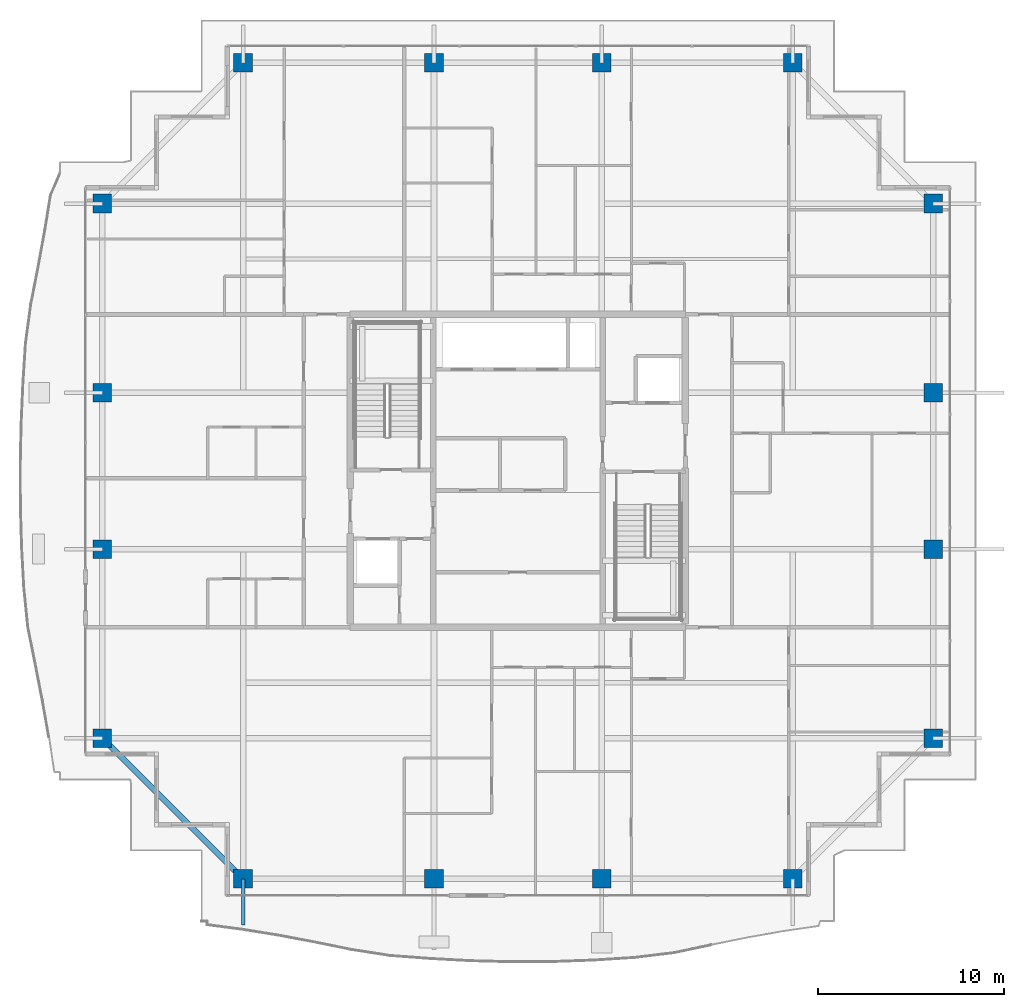
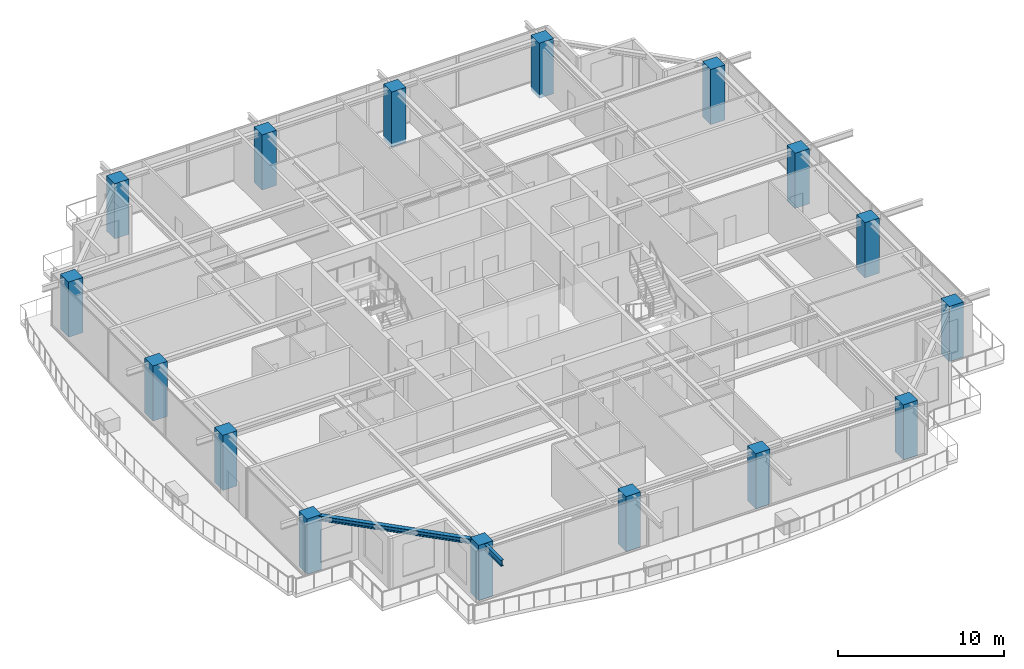
# One storey, part 1 of 37: 16 columns, 2 beams.
"""IFC4 building model written with IfcOpenShell, lengths in metres."""

from ifc_helpers import new_model, si_unit, direction, frame, origin, origin_2d, place, context, subcontext, project, spatial, rectangle, i_section, extrude, source, transform, mapped, material, material_profile, profile_set, type_object, element, save


model = new_model("IFC4")

# Units and contexts
model_context = context("Model", 3, precision=1e-05, world=origin(), true_north=direction((0.0, 1.0)))
body_context = subcontext(model_context, "Body", "Model", "MODEL_VIEW")
ifc_project = project(units=[si_unit("LENGTHUNIT", "METRE"), si_unit("AREAUNIT", "SQUARE_METRE"), si_unit("VOLUMEUNIT", "CUBIC_METRE"), si_unit("PLANEANGLEUNIT", "RADIAN"), si_unit("MASSUNIT", "GRAM", prefix="KILO")], contexts=[model_context])

# Site, building, storey
site_placement = place(None, origin())
site = spatial("IfcSite", under=ifc_project, at=site_placement, CompositionType="ELEMENT")
building_placement = place(site_placement, origin())
building = spatial("IfcBuilding", under=site, at=building_placement, Name="Serunith Strait Residences", CompositionType="ELEMENT")
storey_placement = place(building_placement, frame((0.0, 0.0, 305.60009765625)))
storey = spatial("IfcBuildingStorey", under=building, at=storey_placement, Name="L76", CompositionType="ELEMENT", Elevation=305.60009765625)

# Columns
ifc_material_1 = material(Name="Concrete C70/85", Category="concrete")
ifc_material_profile_1 = material_profile(ifc_material_1, rectangle(XDim=1.0, YDim=1.0, at=origin_2d()), Name="RC 1000x1000")
ifc_profile_set_1 = profile_set([ifc_material_profile_1], Name="Concrete C70/85")
column_type = type_object("IfcColumnType", Name="COL-RC-1000", PredefinedType="COLUMN", material=ifc_profile_set_1)
shared_shape_1 = source(origin(), body_context, "Body", "SweptSolid", [
    extrude(rectangle(XDim=1.0, YDim=1.0, at=origin_2d()), origin(), (0.0, 0.0, 1.0), 4.0498046875),
])
for number, where, z_axis, x_axis, name in (
    (1, (17.64990234375, 3.300048828125, -0.260009765625), (0.0, 0.0, 1.0), (1.0, 0.0, 0.0), "L76 Tower Mega-Column TC-S1"),
    (2, (27.89990234375, 3.300048828125, -0.260009765625), (0.0, 0.0, 1.0), (1.0, 0.0, 0.0), "L76 Tower Mega-Column TC-S2"),
    (3, (36.89990234375, 3.300048828125, -0.260009765625), (0.0, 0.0, 1.0), (1.0, 0.0, 0.0), "L76 Tower Mega-Column TC-S3"),
    (4, (47.14990234375, 3.300048828125, -0.260009765625), (0.0, 0.0, 1.0), (1.0, 0.0, 0.0), "L76 Tower Mega-Column TC-S4"),
    (5, (17.64990234375, 47.10009765625, -0.260009765625), (0.0, 0.0, 1.0), (1.0, 0.0, 0.0), "L76 Tower Mega-Column TC-N1"),
    (6, (27.89990234375, 47.10009765625, -0.260009765625), (0.0, 0.0, 1.0), (1.0, 0.0, 0.0), "L76 Tower Mega-Column TC-N2"),
    (7, (36.89990234375, 47.10009765625, -0.260009765625), (0.0, 0.0, 1.0), (1.0, 0.0, 0.0), "L76 Tower Mega-Column TC-N3"),
    (8, (47.14990234375, 47.10009765625, -0.260009765625), (0.0, 0.0, 1.0), (1.0, 0.0, 0.0), "L76 Tower Mega-Column TC-N4"),
    (9, (54.699951171875, 10.85009765625, -0.260009765625), (0.0, 0.0, 1.0), (1.0, 0.0, 0.0), "L76 Tower Mega-Column TC-E1"),
    (10, (54.699951171875, 21.0, -0.260009765625), (0.0, 0.0, 1.0), (1.0, 0.0, 0.0), "L76 Tower Mega-Column TC-E2"),
    (11, (54.699951171875, 29.39990234375, -0.260009765625), (0.0, 0.0, 1.0), (1.0, 0.0, 0.0), "L76 Tower Mega-Column TC-E3"),
    (12, (54.699951171875, 39.550048828125, -0.260009765625), (0.0, 0.0, 1.0), (1.0, 0.0, 0.0), "L76 Tower Mega-Column TC-E4"),
    (13, (10.10009765625, 10.85009765625, -0.260009765625), (0.0, 0.0, 1.0), (1.0, 0.0, 0.0), "L76 Tower Mega-Column TC-W1"),
    (14, (10.10009765625, 21.0, -0.260009765625), (0.0, 0.0, 1.0), (1.0, 0.0, 0.0), "L76 Tower Mega-Column TC-W2"),
    (15, (10.10009765625, 29.39990234375, -0.260009765625), (0.0, 0.0, 1.0), (1.0, 0.0, 0.0), "L76 Tower Mega-Column TC-W3"),
    (16, (10.10009765625, 39.550048828125, -0.260009765625), (0.0, 0.0, 1.0), (1.0, 0.0, 0.0), "L76 Tower Mega-Column TC-W4"),
):
    element("IfcColumn", number, at=place(storey_placement, frame(where, z_axis=z_axis, x_axis=x_axis)), inside=storey, type_object=column_type, Name=name, PredefinedType="COLUMN", context=body_context, shape_type="MappedRepresentation", body=[
        mapped(shared_shape_1, transform((0.0, 0.0, 0.0), scale=1.0)),
    ])

# Beams
ifc_material_2 = material(Name="Steel S355J2", Category="steel")
ifc_material_profile_2 = material_profile(ifc_material_2, i_section(OverallWidth=0.300048828125, OverallDepth=0.360107421875, WebThickness=0.012451171875, FlangeThickness=0.0224609375, FilletRadius=0.027099609375, at=origin_2d()), Name="HEB 360")
ifc_profile_set_2 = profile_set([ifc_material_profile_2], Name="Steel S355J2")
beam_type_1 = type_object("IfcBeamType", Name="BM-HEB360", PredefinedType="BEAM", material=ifc_profile_set_2)
shared_shape_2 = source(origin(), body_context, "Body", "SweptSolid", [
    extrude(i_section(OverallWidth=0.300048828125, OverallDepth=0.360107421875, WebThickness=0.012451171875, FlangeThickness=0.0224609375, FilletRadius=0.027099609375, at=origin_2d()), origin(), (0.0, 0.0, 1.0), 10.67724609375),
])
beam_1_placement = place(storey_placement, frame((10.10009765625, 10.85009765625, 3.576904296875), z_axis=(0.707095348302, -0.707118213887, 0.0), x_axis=(0.707118213887, 0.707095348302, 0.0)))
element("IfcBeam", 17, at=beam_1_placement, inside=storey, type_object=beam_type_1, Name="L76 Perimeter Ring Beam 16", PredefinedType="BEAM", context=body_context, shape_type="MappedRepresentation", body=[
    mapped(shared_shape_2, transform((0.0, 0.0, 0.0), scale=1.0)),
])
ifc_material_profile_3 = material_profile(ifc_material_2, i_section(OverallWidth=0.18994140625, OverallDepth=0.449951171875, WebThickness=0.009521484375, FlangeThickness=0.0146484375, FilletRadius=0.02099609375, at=origin_2d()), Name="IPE 450")
ifc_profile_set_3 = profile_set([ifc_material_profile_3], Name="Steel S355J2")
beam_type_2 = type_object("IfcBeamType", Name="BM-IPE450", PredefinedType="JOIST", material=ifc_profile_set_3)
shared_shape_3 = source(origin(), body_context, "Body", "SweptSolid", [
    extrude(i_section(OverallWidth=0.18994140625, OverallDepth=0.449951171875, WebThickness=0.009521484375, FlangeThickness=0.0146484375, FilletRadius=0.02099609375, at=origin_2d()), origin(), (0.0, 0.0, 1.0), 2.476806640625),
])
beam_2_placement = place(storey_placement, frame((17.64990234375, 3.300048828125, 3.531982421875), z_axis=(0.0, -1.0, 0.0), x_axis=(1.0, 0.0, 0.0)))
element("IfcBeam", 18, at=beam_2_placement, inside=storey, type_object=beam_type_2, Name="L77 Cantilevered Balcony Rib TC-S1", PredefinedType="JOIST", context=body_context, shape_type="MappedRepresentation", body=[
    mapped(shared_shape_3, transform((0.0, 0.0, 0.0), scale=1.0)),
])

save(model, "model.ifc")
